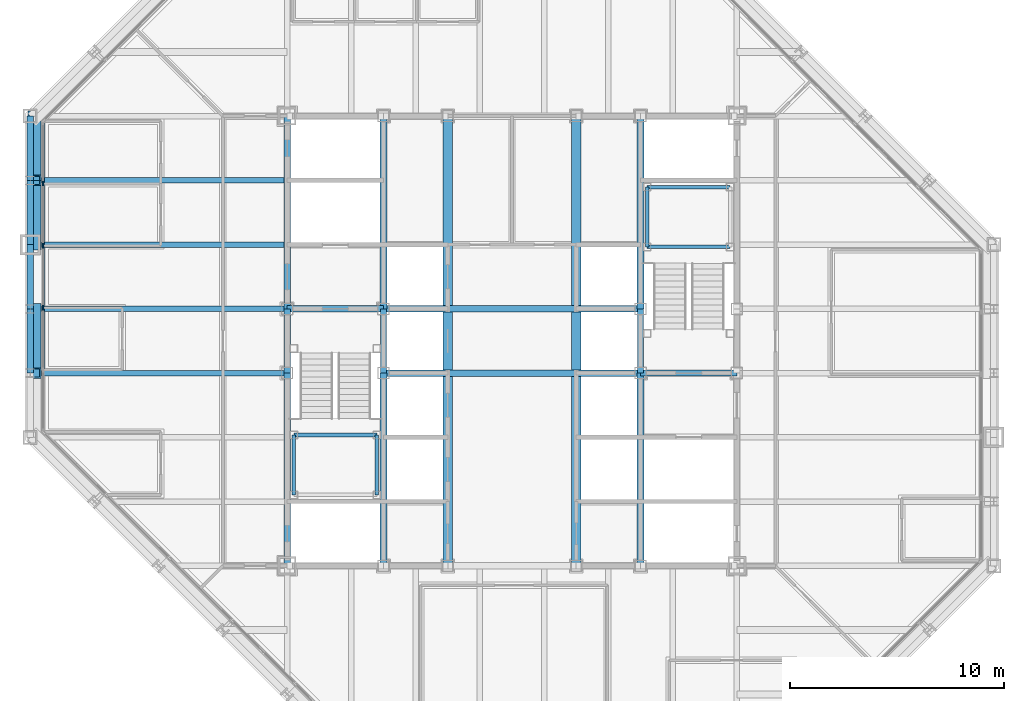
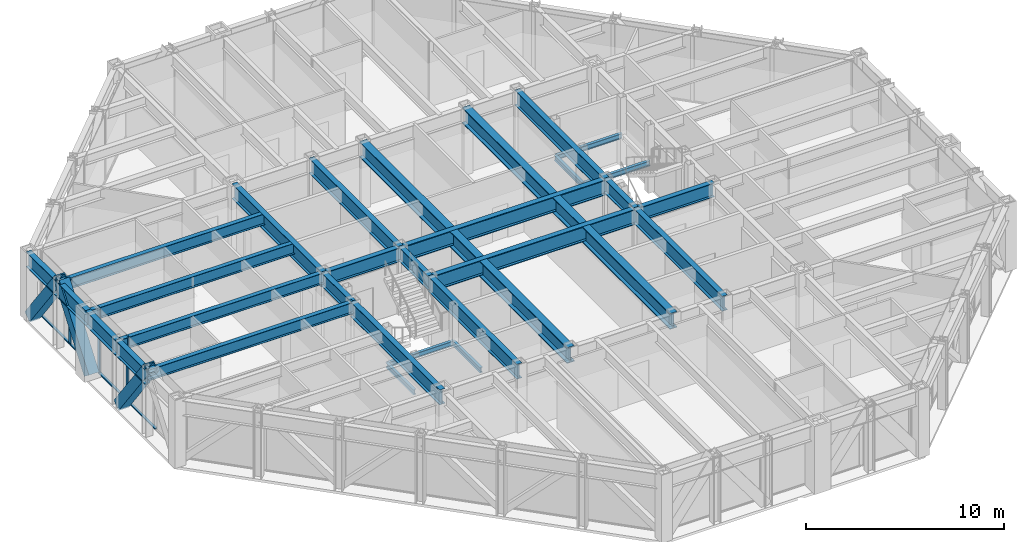
# One storey, part 6 of 16: 33 beams, 10 members, 1 element without a shape of its own.
"""IFC4 building model written with IfcOpenShell, lengths in metres."""

from ifc_helpers import new_model, si_unit, direction, frame, origin, origin_2d, place, context, subcontext, project, spatial, rectangle, hollow_rectangle, i_section, extrude, material, layer, layer_set, material_profile, profile_set, type_object, element, aggregate, save


model = new_model("IFC4")

# Units and contexts
model_context = context("Model", 3, precision=1e-05, world=origin(), true_north=direction((0.0, 1.0)))
body_context = subcontext(model_context, "Body", "Model", "MODEL_VIEW")
ifc_project = project(units=[si_unit("LENGTHUNIT", "METRE"), si_unit("AREAUNIT", "SQUARE_METRE"), si_unit("VOLUMEUNIT", "CUBIC_METRE"), si_unit("PLANEANGLEUNIT", "RADIAN"), si_unit("MASSUNIT", "GRAM", prefix="KILO")], contexts=[model_context])

# Site, building, storey
site_placement = place(None, origin())
site = spatial("IfcSite", under=ifc_project, at=site_placement, CompositionType="ELEMENT")
building_placement = place(site_placement, origin())
building = spatial("IfcBuilding", under=site, at=building_placement, Name="Chuquiago Exchange Tower", CompositionType="ELEMENT")
storey_placement = place(building_placement, frame((0.0, 0.0, 230.699951171875)))
storey = spatial("IfcBuildingStorey", under=building, at=storey_placement, Name="L51", CompositionType="ELEMENT", Elevation=230.699951171875)

# Beams
ifc_material_1 = material(Name="Steel ASTM A992", Category="steel")
ifc_material_profile_1 = material_profile(ifc_material_1, i_section(OverallWidth=0.25390625, OverallDepth=0.683349609375, WebThickness=0.012451171875, FlangeThickness=0.018798828125, at=origin_2d()), Name="W27X94")
ifc_profile_set_1 = profile_set([ifc_material_profile_1], Name="Steel ASTM A992")
beam_type_1 = type_object("IfcBeamType", Name="B1 W27X94", PredefinedType="BEAM", material=ifc_profile_set_1)
for number, where, z_axis, x_axis, name in (
    (1, (12.0, 21.0, 3.698486328125), (-1.0, 0.0, 0.0), (0.0, -1.0, 0.0), "FB-L52-infill-12_21--0_21-0"),
    (2, (12.0, 24.0, 3.698486328125), (-1.0, 0.0, 0.0), (0.0, -1.0, 0.0), "FB-L52-infill-12_24--0_24-0"),
    (3, (12.0, 27.0, 3.698486328125), (-1.0, 0.0, 0.0), (0.0, -1.0, 0.0), "FB-L52-infill-12_27--0_27-0"),
    (4, (12.0, 30.0, 3.698486328125), (-1.0, 0.0, 0.0), (0.0, -1.0, 0.0), "FB-L52-infill-12_30--0_30-0"),
):
    element("IfcBeam", number, at=place(storey_placement, frame(where, z_axis=z_axis, x_axis=x_axis)), inside=storey, type_object=beam_type_1, Name=name, PredefinedType="BEAM", context=body_context, shape_type="SweptSolid", body=[
        extrude(i_section(OverallWidth=0.25390625, OverallDepth=0.683349609375, WebThickness=0.012451171875, FlangeThickness=0.018798828125, at=origin_2d()), origin(), (0.0, 0.0, 1.0), 12.0),
    ])
ifc_material_2 = material(Name="Steel ASTM A992", Category="steel")
ifc_material_profile_2 = material_profile(ifc_material_2, i_section(OverallWidth=0.307373046875, OverallDepth=0.927001953125, WebThickness=0.01953125, FlangeThickness=0.031982421875, at=origin_2d()), Name="W36X194")
ifc_profile_set_2 = profile_set([ifc_material_profile_2], Name="Steel ASTM A992")
beam_type_2 = type_object("IfcBeamType", Name="B10 W36X194", PredefinedType="BEAM", material=ifc_profile_set_2)
for number, where, z_axis, x_axis, name in (
    (5, (12.0, 12.0, 3.57666015625), (0.0, 1.0, 0.0), (-1.0, 0.0, 0.0), "CB-L52-12_12-12_21"),
    (6, (12.0, 24.0, 3.57666015625), (0.0, 1.0, 0.0), (-1.0, 0.0, 0.0), "CB-L52-12_24-12_33"),
    (7, (16.5, 12.0, 3.57666015625), (0.0, 1.0, 0.0), (-1.0, 0.0, 0.0), "CB-L52-16.5_12-16.5_21"),
    (8, (16.5, 24.0, 3.57666015625), (0.0, 1.0, 0.0), (-1.0, 0.0, 0.0), "CB-L52-16.5_24-16.5_33"),
    (9, (28.5, 12.0, 3.57666015625), (0.0, 1.0, 0.0), (-1.0, 0.0, 0.0), "CB-L52-28.5_12-28.5_21"),
    (10, (28.5, 24.0, 3.57666015625), (0.0, 1.0, 0.0), (-1.0, 0.0, 0.0), "CB-L52-28.5_24-28.5_33"),
):
    element("IfcBeam", number, at=place(storey_placement, frame(where, z_axis=z_axis, x_axis=x_axis)), inside=storey, type_object=beam_type_2, Name=name, PredefinedType="BEAM", context=body_context, shape_type="SweptSolid", body=[
        extrude(i_section(OverallWidth=0.307373046875, OverallDepth=0.927001953125, WebThickness=0.01953125, FlangeThickness=0.031982421875, at=origin_2d()), origin(), (0.0, 0.0, 1.0), 9.0),
    ])
ifc_material_3 = material(Name="Steel ASTM A992", Category="steel")
ifc_material_profile_3 = material_profile(ifc_material_3, i_section(OverallWidth=0.309814453125, OverallDepth=0.949951171875, WebThickness=0.0244140625, FlangeThickness=0.0439453125, at=origin_2d()), Name="W36X256")
ifc_profile_set_3 = profile_set([ifc_material_profile_3], Name="Steel ASTM A992")
beam_type_3 = type_object("IfcBeamType", Name="B11 W36X256", PredefinedType="BEAM", material=ifc_profile_set_3)
for number, where, z_axis, x_axis, name in (
    (11, (16.5, 21.0, 3.56494140625), (1.0, 0.0, 0.0), (0.0, 1.0, 0.0), "CB-L52-16.5_21-28.5_21"),
    (12, (16.5, 24.0, 3.56494140625), (1.0, 0.0, 0.0), (0.0, 1.0, 0.0), "CB-L52-16.5_24-28.5_24"),
):
    element("IfcBeam", number, at=place(storey_placement, frame(where, z_axis=z_axis, x_axis=x_axis)), inside=storey, type_object=beam_type_3, Name=name, PredefinedType="BEAM", context=body_context, shape_type="SweptSolid", body=[
        extrude(i_section(OverallWidth=0.309814453125, OverallDepth=0.949951171875, WebThickness=0.0244140625, FlangeThickness=0.0439453125, at=origin_2d()), origin(), (0.0, 0.0, 1.0), 12.0),
    ])
ifc_material_4 = material(Name="Steel ASTM A992", Category="steel")
ifc_material_profile_4 = material_profile(ifc_material_4, i_section(OverallWidth=0.4267578125, OverallDepth=0.975341796875, WebThickness=0.031005859375, FlangeThickness=0.055908203125, at=origin_2d()), Name="W36X395")
ifc_profile_set_4 = profile_set([ifc_material_profile_4], Name="Steel ASTM A992")
beam_type_4 = type_object("IfcBeamType", Name="B12 W36X395", PredefinedType="BEAM", material=ifc_profile_set_4)
beam_1_placement = place(storey_placement, frame((19.5, 12.0, 3.55224609375), z_axis=(0.0, 1.0, 0.0), x_axis=(-1.0, 0.0, 0.0)))
element("IfcBeam", 13, at=beam_1_placement, inside=storey, type_object=beam_type_4, Name="CB-L52-19.5_12-19.5_20.8451", PredefinedType="BEAM", context=body_context, shape_type="SweptSolid", body=[
    extrude(i_section(OverallWidth=0.4267578125, OverallDepth=0.975341796875, WebThickness=0.031005859375, FlangeThickness=0.055908203125, at=origin_2d()), origin(), (0.0, 0.0, 1.0), 8.84521484375),
])
beam_2_placement = place(storey_placement, frame((19.5, 21.15478515625, 3.55224609375), z_axis=(0.0, 1.0, 0.0), x_axis=(-1.0, 0.0, 0.0)))
element("IfcBeam", 14, at=beam_2_placement, inside=storey, type_object=beam_type_4, Name="CB-L52-19.5_21.1549-19.5_23.8451", PredefinedType="BEAM", context=body_context, shape_type="SweptSolid", body=[
    extrude(i_section(OverallWidth=0.4267578125, OverallDepth=0.975341796875, WebThickness=0.031005859375, FlangeThickness=0.055908203125, at=origin_2d()), origin(), (0.0, 0.0, 1.0), 2.6904296875),
])
for number, where, z_axis, x_axis, name in (
    (15, (19.5, 24.15478515625, 3.55224609375), (0.0, 1.0, 0.0), (-1.0, 0.0, 0.0), "CB-L52-19.5_24.1549-19.5_33"),
    (16, (25.5, 12.0, 3.55224609375), (0.0, 1.0, 0.0), (-1.0, 0.0, 0.0), "CB-L52-25.5_12-25.5_20.8451"),
):
    element("IfcBeam", number, at=place(storey_placement, frame(where, z_axis=z_axis, x_axis=x_axis)), inside=storey, type_object=beam_type_4, Name=name, PredefinedType="BEAM", context=body_context, shape_type="SweptSolid", body=[
        extrude(i_section(OverallWidth=0.4267578125, OverallDepth=0.975341796875, WebThickness=0.031005859375, FlangeThickness=0.055908203125, at=origin_2d()), origin(), (0.0, 0.0, 1.0), 8.84521484375),
    ])
beam_3_placement = place(storey_placement, frame((25.5, 21.15478515625, 3.55224609375), z_axis=(0.0, 1.0, 0.0), x_axis=(-1.0, 0.0, 0.0)))
element("IfcBeam", 17, at=beam_3_placement, inside=storey, type_object=beam_type_4, Name="CB-L52-25.5_21.1549-25.5_23.8451", PredefinedType="BEAM", context=body_context, shape_type="SweptSolid", body=[
    extrude(i_section(OverallWidth=0.4267578125, OverallDepth=0.975341796875, WebThickness=0.031005859375, FlangeThickness=0.055908203125, at=origin_2d()), origin(), (0.0, 0.0, 1.0), 2.6904296875),
])
beam_4_placement = place(storey_placement, frame((25.5, 24.15478515625, 3.55224609375), z_axis=(0.0, 1.0, 0.0), x_axis=(-1.0, 0.0, 0.0)))
element("IfcBeam", 18, at=beam_4_placement, inside=storey, type_object=beam_type_4, Name="CB-L52-25.5_24.1549-25.5_33", PredefinedType="BEAM", context=body_context, shape_type="SweptSolid", body=[
    extrude(i_section(OverallWidth=0.4267578125, OverallDepth=0.975341796875, WebThickness=0.031005859375, FlangeThickness=0.055908203125, at=origin_2d()), origin(), (0.0, 0.0, 1.0), 8.84521484375),
])
ifc_material_5 = material(Name="Steel ASTM A992", Category="steel")
ifc_material_profile_5 = material_profile(ifc_material_5, i_section(OverallWidth=0.2919921875, OverallDepth=0.8583984375, WebThickness=0.01708984375, FlangeThickness=0.031005859375, at=origin_2d()), Name="W33X169")
ifc_profile_set_5 = profile_set([ifc_material_profile_5], Name="Steel ASTM A992")
beam_type_5 = type_object("IfcBeamType", Name="B3 W33X169", PredefinedType="BEAM", material=ifc_profile_set_5)
for number, where, z_axis, x_axis, name in (
    (19, (12.0, 21.0, 3.61083984375), (0.0, 1.0, 0.0), (-1.0, 0.0, 0.0), "CB-L52-12_21-12_24"),
    (20, (16.5, 21.0, 3.61083984375), (0.0, 1.0, 0.0), (-1.0, 0.0, 0.0), "CB-L52-16.5_21-16.5_24"),
    (21, (28.5, 21.0, 3.61083984375), (0.0, 1.0, 0.0), (-1.0, 0.0, 0.0), "CB-L52-28.5_21-28.5_24"),
):
    element("IfcBeam", number, at=place(storey_placement, frame(where, z_axis=z_axis, x_axis=x_axis)), inside=storey, type_object=beam_type_5, Name=name, PredefinedType="BEAM", context=body_context, shape_type="SweptSolid", body=[
        extrude(i_section(OverallWidth=0.2919921875, OverallDepth=0.8583984375, WebThickness=0.01708984375, FlangeThickness=0.031005859375, at=origin_2d()), origin(), (0.0, 0.0, 1.0), 3.0),
    ])
for number, where, z_axis, x_axis, name in (
    (22, (28.5, 21.0, 3.61083984375), (1.0, 0.0, 0.0), (0.0, 1.0, 0.0), "CB-L52-28.5_21-33_21"),
    (23, (12.0, 24.0, 3.61083984375), (1.0, 0.0, 0.0), (0.0, 1.0, 0.0), "CB-L52-12_24-16.5_24"),
):
    element("IfcBeam", number, at=place(storey_placement, frame(where, z_axis=z_axis, x_axis=x_axis)), inside=storey, type_object=beam_type_5, Name=name, PredefinedType="BEAM", context=body_context, shape_type="SweptSolid", body=[
        extrude(i_section(OverallWidth=0.2919921875, OverallDepth=0.8583984375, WebThickness=0.01708984375, FlangeThickness=0.031005859375, at=origin_2d()), origin(), (0.0, 0.0, 1.0), 4.5),
    ])

# Curtain wall, members
ifc_material_6 = material(Name="Aluminium curtain wall system", Category="aluminium")
ifc_layer = layer(ifc_material_6, 0.22509765625)
ifc_layer_set = layer_set([ifc_layer], Name="CW2 office curtain wall")
curtain_wall_type = type_object("IfcCurtainWallType", Name="CW2 office curtain wall", PredefinedType="NOTDEFINED", material=ifc_layer_set)
curtain_wall_placement = place(storey_placement, origin())
curtain_wall = element("IfcCurtainWall", 24, at=curtain_wall_placement, inside=storey, type_object=curtain_wall_type, Name="CW2 curtain wall L51", PredefinedType="NOTDEFINED")
ifc_material_7 = material(Name="Aluminium mullion, pale anodised", Category="aluminium")
ifc_material_profile_6 = material_profile(ifc_material_7, rectangle(XDim=0.06494140625, YDim=0.22509765625, at=origin_2d()), Name="AL 65x225")
ifc_profile_set_6 = profile_set([ifc_material_profile_6], Name="Aluminium mullion, pale anodised")
member_type_1 = type_object("IfcMemberType", Name="CW2-M mullion 65x225", PredefinedType="MULLION", material=ifc_profile_set_6)
member_1_placement = place(storey_placement, frame((0.60009765625, 29.850830078125, 0.0), z_axis=(0.0, 0.0, 1.0), x_axis=(1.0, 0.0, 0.0)))
member_1 = element("IfcMember", 25, at=member_1_placement, type_object=member_type_1, Name="CW2 mullion 2", PredefinedType="MULLION", context=body_context, shape_type="SweptSolid", body=[
    extrude(rectangle(XDim=0.06494140625, YDim=0.22509765625, at=origin_2d()), origin(), (0.0, 0.0, 1.0), 4.0400390625),
])
member_2_placement = place(storey_placement, frame((0.60009765625, 26.9501953125, 0.0), z_axis=(0.0, 0.0, 1.0), x_axis=(1.0, 0.0, 0.0)))
member_2 = element("IfcMember", 26, at=member_2_placement, type_object=member_type_1, Name="CW2 mullion 3", PredefinedType="MULLION", context=body_context, shape_type="SweptSolid", body=[
    extrude(rectangle(XDim=0.06494140625, YDim=0.22509765625, at=origin_2d()), origin(), (0.0, 0.0, 1.0), 4.0400390625),
])
member_3_placement = place(storey_placement, frame((0.60009765625, 24.0498046875, 0.0), z_axis=(0.0, 0.0, 1.0), x_axis=(1.0, 0.0, 0.0)))
member_3 = element("IfcMember", 27, at=member_3_placement, type_object=member_type_1, Name="CW2 mullion 4", PredefinedType="MULLION", context=body_context, shape_type="SweptSolid", body=[
    extrude(rectangle(XDim=0.06494140625, YDim=0.22509765625, at=origin_2d()), origin(), (0.0, 0.0, 1.0), 4.0400390625),
])
ifc_material_8 = material(Name="Aluminium transom, pale anodised", Category="aluminium")
ifc_material_profile_7 = material_profile(ifc_material_8, rectangle(XDim=0.139892578125, YDim=0.06494140625, at=origin_2d()), Name="AL 140x65")
ifc_profile_set_7 = profile_set([ifc_material_profile_7], Name="Aluminium transom, pale anodised")
member_type_2 = type_object("IfcMemberType", Name="CW2-T transom 65x140", PredefinedType="MULLION", material=ifc_profile_set_7)
member_4_placement = place(storey_placement, frame((0.60009765625, 32.6865234375, 0.032470703125), z_axis=(0.0, -1.0, 0.0), x_axis=(1.0, 0.0, 0.0)))
member_4 = element("IfcMember", 28, at=member_4_placement, type_object=member_type_2, Name="CW2 transom 1.1", PredefinedType="MULLION", context=body_context, shape_type="SweptSolid", body=[
    extrude(rectangle(XDim=0.139892578125, YDim=0.06494140625, at=origin_2d()), origin(), (0.0, 0.0, 1.0), 2.80322265625),
])
member_5_placement = place(storey_placement, frame((0.60009765625, 29.818359375, 0.032470703125), z_axis=(0.0, -1.0, 0.0), x_axis=(1.0, 0.0, 0.0)))
member_5 = element("IfcMember", 29, at=member_5_placement, type_object=member_type_2, Name="CW2 transom 2.1", PredefinedType="MULLION", context=body_context, shape_type="SweptSolid", body=[
    extrude(rectangle(XDim=0.139892578125, YDim=0.06494140625, at=origin_2d()), origin(), (0.0, 0.0, 1.0), 2.83544921875),
])
member_6_placement = place(storey_placement, frame((0.60009765625, 26.917724609375, 0.032470703125), z_axis=(0.0, -1.0, 0.0), x_axis=(1.0, 0.0, 0.0)))
member_6 = element("IfcMember", 30, at=member_6_placement, type_object=member_type_2, Name="CW2 transom 3.1", PredefinedType="MULLION", context=body_context, shape_type="SweptSolid", body=[
    extrude(rectangle(XDim=0.139892578125, YDim=0.06494140625, at=origin_2d()), origin(), (0.0, 0.0, 1.0), 2.83544921875),
])
member_7_placement = place(storey_placement, frame((0.60009765625, 24.01708984375, 0.032470703125), z_axis=(0.0, -1.0, 0.0), x_axis=(1.0, 0.0, 0.0)))
member_7 = element("IfcMember", 31, at=member_7_placement, type_object=member_type_2, Name="CW2 transom 4.1", PredefinedType="MULLION", context=body_context, shape_type="SweptSolid", body=[
    extrude(rectangle(XDim=0.139892578125, YDim=0.06494140625, at=origin_2d()), origin(), (0.0, 0.0, 1.0), 2.83544921875),
])
aggregate(curtain_wall, [member_1, member_2, member_3, member_4, member_5, member_6, member_7])

# Beams
ifc_material_9 = material(Name="Steel ASTM A992", Category="steel")
ifc_material_profile_8 = material_profile(ifc_material_9, i_section(OverallWidth=0.164794921875, OverallDepth=0.309814453125, WebThickness=0.005859375, FlangeThickness=0.009765625, at=origin_2d()), Name="W12X26")
ifc_profile_set_8 = profile_set([ifc_material_profile_8], Name="Steel ASTM A992")
beam_type_6 = type_object("IfcBeamType", Name="LS1 W12X26", PredefinedType="BEAM", material=ifc_profile_set_8)
for number, where, z_axis, x_axis, name in (
    (32, (12.31005859375, 15.31005859375, 1.7451171875), (0.0, 1.0, 0.0), (-1.0, 0.0, 0.0), "Stair ST1 L51 landing 1 stringer"),
    (33, (16.18994140625, 15.31005859375, 1.7451171875), (0.0, 1.0, 0.0), (-1.0, 0.0, 0.0), "Stair ST1 L51 landing 1 stringer"),
    (34, (28.81005859375, 26.889892578125, 1.7451171875), (0.0, 1.0, 0.0), (-1.0, 0.0, 0.0), "Stair ST2 L51 landing 1 stringer"),
):
    element("IfcBeam", number, at=place(storey_placement, frame(where, z_axis=z_axis, x_axis=x_axis)), inside=storey, type_object=beam_type_6, Name=name, PredefinedType="BEAM", context=body_context, shape_type="SweptSolid", body=[
        extrude(i_section(OverallWidth=0.164794921875, OverallDepth=0.309814453125, WebThickness=0.005859375, FlangeThickness=0.009765625, at=origin_2d()), origin(), (0.0, 0.0, 1.0), 2.800048828125),
    ])
ifc_material_10 = material(Name="Steel ASTM A992", Category="steel")
ifc_material_profile_9 = material_profile(ifc_material_10, i_section(OverallWidth=0.164794921875, OverallDepth=0.309814453125, WebThickness=0.005859375, FlangeThickness=0.009765625, at=origin_2d()), Name="W12X26")
ifc_profile_set_9 = profile_set([ifc_material_profile_9], Name="Steel ASTM A992")
beam_type_7 = type_object("IfcBeamType", Name="LT1 W12X26", PredefinedType="BEAM", material=ifc_profile_set_9)
for number, where, z_axis, x_axis, name in (
    (35, (12.31005859375, 18.110107421875, 1.7451171875), (1.0, 0.0, 0.0), (0.0, 1.0, 0.0), "Stair ST1 L51 landing 1 trimmer"),
    (36, (28.81005859375, 29.68994140625, 1.7451171875), (1.0, 0.0, 0.0), (0.0, 1.0, 0.0), "Stair ST2 L51 landing 1 trimmer"),
    (37, (28.81005859375, 26.889892578125, 1.7451171875), (1.0, 0.0, 0.0), (0.0, 1.0, 0.0), "Stair ST2 L51 landing 1 trimmer"),
):
    element("IfcBeam", number, at=place(storey_placement, frame(where, z_axis=z_axis, x_axis=x_axis)), inside=storey, type_object=beam_type_7, Name=name, PredefinedType="BEAM", context=body_context, shape_type="SweptSolid", body=[
        extrude(i_section(OverallWidth=0.164794921875, OverallDepth=0.309814453125, WebThickness=0.005859375, FlangeThickness=0.009765625, at=origin_2d()), origin(), (0.0, 0.0, 1.0), 3.8798828125),
    ])

# Members
ifc_material_11 = material(Name="Steel ASTM A572 Grade 50", Category="steel")
ifc_material_profile_10 = material_profile(ifc_material_11, hollow_rectangle(XDim=0.60009765625, YDim=0.60009765625, WallThickness=0.06005859375, at=origin_2d()), Name="BOX600X600X60")
ifc_profile_set_10 = profile_set([ifc_material_profile_10], Name="Steel ASTM A572 Grade 50")
member_type_3 = type_object("IfcMemberType", Name="MB3 BOX600X600X60", PredefinedType="BRACE", material=ifc_profile_set_10)
for number, where, z_axis, x_axis, name in (
    (38, (0.205078125, 33.0, 0.0), (0.0, -0.596173923302, 0.802855312728), (1.0, 0.0, 0.0), "Mega diagonal L51 W face"),
    (39, (0.205078125, 27.0, 0.0), (0.0, 0.596173923302, 0.802855312728), (-1.0, 0.0, 0.0), "Mega diagonal L51 W face"),
    (40, (0.205078125, 24.0, 0.0), (0.0, -0.596173923302, 0.802855312728), (1.0, 0.0, 0.0), "Mega diagonal L51 W face"),
):
    element("IfcMember", number, at=place(storey_placement, frame(where, z_axis=z_axis, x_axis=x_axis)), inside=storey, type_object=member_type_3, Name=name, PredefinedType="BRACE", context=body_context, shape_type="SweptSolid", body=[
        extrude(hollow_rectangle(XDim=0.60009765625, YDim=0.60009765625, WallThickness=0.06005859375, at=origin_2d()), origin(), (0.0, 0.0, 1.0), 5.031982421875),
    ])

# Beams
ifc_material_12 = material(Name="Steel ASTM A992", Category="steel")
ifc_material_profile_11 = material_profile(ifc_material_12, i_section(OverallWidth=0.307373046875, OverallDepth=0.927001953125, WebThickness=0.01953125, FlangeThickness=0.031982421875, at=origin_2d()), Name="W36X194")
ifc_profile_set_11 = profile_set([ifc_material_profile_11], Name="Steel ASTM A992")
beam_type_8 = type_object("IfcBeamType", Name="SP3 W36X194", PredefinedType="SPANDREL", material=ifc_profile_set_11)
for number, where, z_axis, x_axis, name in (
    (41, (0.0, 33.0, 3.57666015625), (0.0, -1.0, 0.0), (1.0, 0.0, 0.0), "SPB-L52-0_33-0_30"),
    (42, (0.0, 30.0, 3.57666015625), (0.0, -1.0, 0.0), (1.0, 0.0, 0.0), "SPB-L52-0_30-0_27"),
    (43, (0.0, 27.0, 3.57666015625), (0.0, -1.0, 0.0), (1.0, 0.0, 0.0), "SPB-L52-0_27-0_24"),
    (44, (0.0, 24.0, 3.57666015625), (0.0, -1.0, 0.0), (1.0, 0.0, 0.0), "SPB-L52-0_24-0_21"),
):
    element("IfcBeam", number, at=place(storey_placement, frame(where, z_axis=z_axis, x_axis=x_axis)), inside=storey, type_object=beam_type_8, Name=name, PredefinedType="SPANDREL", context=body_context, shape_type="SweptSolid", body=[
        extrude(i_section(OverallWidth=0.307373046875, OverallDepth=0.927001953125, WebThickness=0.01953125, FlangeThickness=0.031982421875, at=origin_2d()), origin(), (0.0, 0.0, 1.0), 3.0),
    ])

save(model, "model.ifc")
